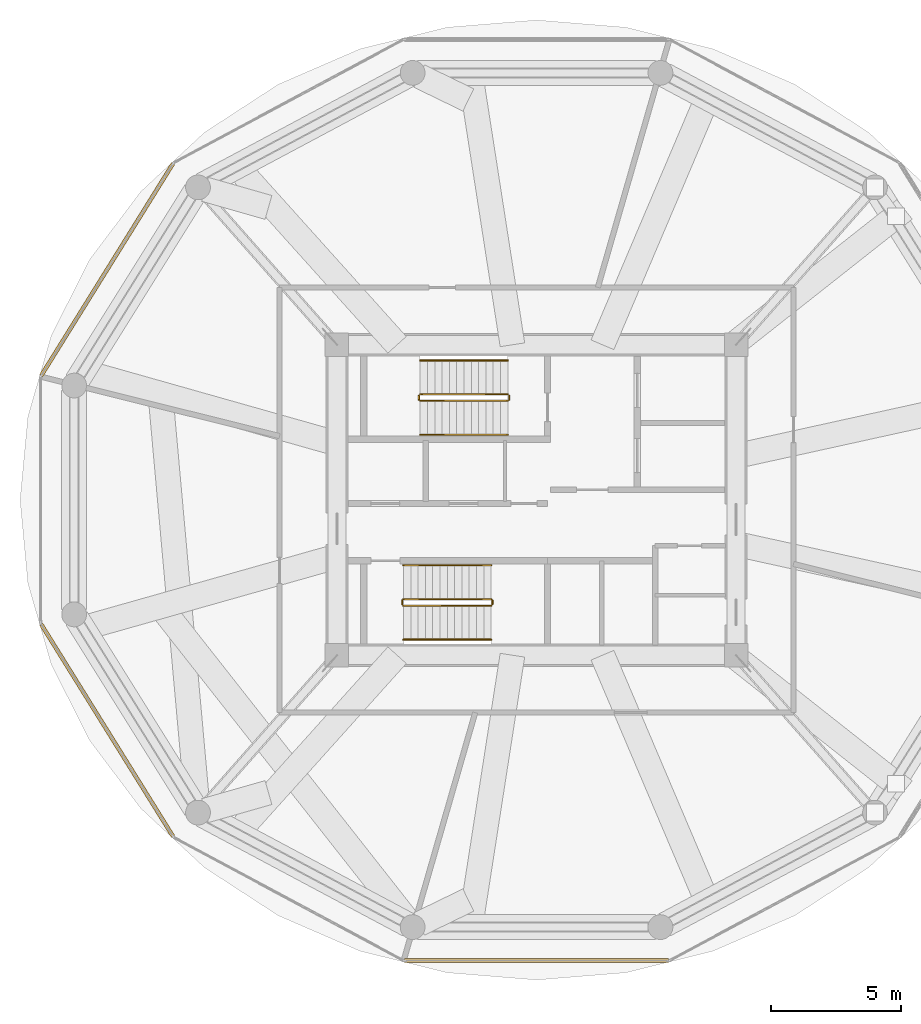
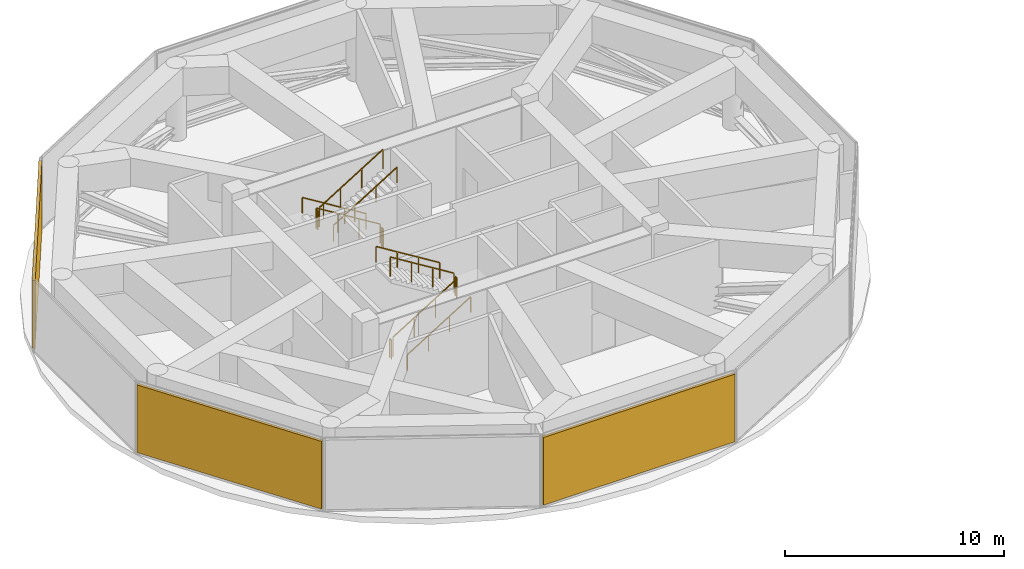
# One storey, part 20 of 22: 12 railings, 3 shading devices.
"""IFC4 building model written with IfcOpenShell, lengths in metres."""

from ifc_helpers import new_model, si_unit, direction, frame, origin, origin_2d, place, context, subcontext, project, spatial, rectangle, extrude, source, transform, mapped, material, type_object, type_shapes, element, save


model = new_model("IFC4")

# Units and contexts
model_context = context("Model", 3, precision=1e-05, world=origin(), true_north=direction((0.0, 1.0)))
body_context = subcontext(model_context, "Body", "Model", "MODEL_VIEW")
ifc_project = project(units=[si_unit("LENGTHUNIT", "METRE"), si_unit("AREAUNIT", "SQUARE_METRE"), si_unit("VOLUMEUNIT", "CUBIC_METRE"), si_unit("PLANEANGLEUNIT", "RADIAN"), si_unit("MASSUNIT", "GRAM", prefix="KILO")], contexts=[model_context])

# Site, building, storey
site_placement = place(None, origin())
site = spatial("IfcSite", under=ifc_project, at=site_placement, CompositionType="ELEMENT")
building_placement = place(site_placement, origin())
building = spatial("IfcBuilding", under=site, at=building_placement, Name="Norrkilde Senior Care Towers", CompositionType="ELEMENT")
storey_placement = place(building_placement, frame((0.0, 0.0, 73.449951171875)))
storey = spatial("IfcBuildingStorey", under=building, at=storey_placement, Name="L22", CompositionType="ELEMENT", Elevation=73.449951171875)

# Railings
ifc_material_1 = material(Name="Stainless Steel", Category="steel")
railing_type_1 = type_object("IfcRailingType", Name="Stair and Terrace Guardrail 1100", PredefinedType="GUARDRAIL", material=ifc_material_1)
railing_1_placement = place(storey_placement, frame((-29.10009765625, 4.050048828125, 0.173095703125)))
element("IfcRailing", 1, at=railing_1_placement, inside=storey, type_object=railing_type_1, Name="L22 ST-W1 stair guard 1", PredefinedType="GUARDRAIL", context=body_context, shape_type="SweptSolid", body=[
    extrude(rectangle(XDim=0.048095703125, YDim=0.048095703125, at=origin_2d()), frame((0.0, 0.0, 1.076171875), z_axis=(-0.850606129759, 0.0, 0.525803396734), x_axis=(0.0, -1.0, 0.0)), (0.0, 0.0, 1.0), 3.949951171875),
    extrude(rectangle(XDim=0.0419921875, YDim=0.0419921875, at=origin_2d()), origin(), (0.0, 0.0, 1.0), 1.050048828125),
    extrude(rectangle(XDim=0.0419921875, YDim=0.0419921875, at=origin_2d()), frame((-1.119873046875, 0.0, 0.6923828125)), (0.0, 0.0, 1.0), 1.050048828125),
    extrude(rectangle(XDim=0.0419921875, YDim=0.0419921875, at=origin_2d()), frame((-2.239990234375, 0.0, 1.384521484375)), (0.0, 0.0, 1.0), 1.050048828125),
    extrude(rectangle(XDim=0.0419921875, YDim=0.0419921875, at=origin_2d()), frame((-3.35986328125, 0.0, 2.076904296875)), (0.0, 0.0, 1.0), 1.050048828125),
])
railing_2_placement = place(storey_placement, frame((-32.510009765625, 4.0, 2.25)))
element("IfcRailing", 2, at=railing_2_placement, inside=storey, type_object=railing_type_1, Name="L22 ST-W1 stair guard 2", PredefinedType="GUARDRAIL", context=body_context, shape_type="SweptSolid", body=[
    extrude(rectangle(XDim=0.048095703125, YDim=0.048095703125, at=origin_2d()), frame((0.0, 0.0, 1.076171875), z_axis=(0.0, -1.0, 0.0), x_axis=(1.0, 0.0, 0.0)), (0.0, 0.0, 1.0), 0.14990234375),
    extrude(rectangle(XDim=0.0419921875, YDim=0.0419921875, at=origin_2d()), origin(), (0.0, 0.0, 1.0), 1.050048828125),
    extrude(rectangle(XDim=0.0419921875, YDim=0.0419921875, at=origin_2d()), frame((0.0, -0.14990234375, 0.0)), (0.0, 0.0, 1.0), 1.050048828125),
])
railing_3_placement = place(storey_placement, frame((-32.4599609375, 3.800048828125, 2.423095703125)))
element("IfcRailing", 3, at=railing_3_placement, inside=storey, type_object=railing_type_1, Name="L22 ST-W1 stair guard 3", PredefinedType="GUARDRAIL", context=body_context, shape_type="SweptSolid", body=[
    extrude(rectangle(XDim=0.048095703125, YDim=0.048095703125, at=origin_2d()), frame((0.0, 0.0, 1.076171875), z_axis=(0.850606129759, 0.0, 0.525803396734), x_axis=(0.0, 1.0, 0.0)), (0.0, 0.0, 1.0), 3.949951171875),
    extrude(rectangle(XDim=0.0419921875, YDim=0.0419921875, at=origin_2d()), origin(), (0.0, 0.0, 1.0), 1.050048828125),
    extrude(rectangle(XDim=0.0419921875, YDim=0.0419921875, at=origin_2d()), frame((1.119873046875, 0.0, 0.6923828125)), (0.0, 0.0, 1.0), 1.050048828125),
    extrude(rectangle(XDim=0.0419921875, YDim=0.0419921875, at=origin_2d()), frame((2.239990234375, 0.0, 1.384521484375)), (0.0, 0.0, 1.0), 1.050048828125),
    extrude(rectangle(XDim=0.0419921875, YDim=0.0419921875, at=origin_2d()), frame((3.35986328125, 0.0, 2.076904296875)), (0.0, 0.0, 1.0), 1.050048828125),
])
railing_4_placement = place(storey_placement, frame((-29.050048828125, 4.0, 0.0)))
element("IfcRailing", 4, at=railing_4_placement, inside=storey, type_object=railing_type_1, Name="L22 ST-W1 stair guard 4", PredefinedType="GUARDRAIL", context=body_context, shape_type="SweptSolid", body=[
    extrude(rectangle(XDim=0.048095703125, YDim=0.048095703125, at=origin_2d()), frame((0.0, 0.0, 1.076171875), z_axis=(0.0, -1.0, 0.0), x_axis=(1.0, 0.0, 0.0)), (0.0, 0.0, 1.0), 0.14990234375),
    extrude(rectangle(XDim=0.0419921875, YDim=0.0419921875, at=origin_2d()), origin(), (0.0, 0.0, 1.0), 1.050048828125),
    extrude(rectangle(XDim=0.0419921875, YDim=0.0419921875, at=origin_2d()), frame((0.0, -0.14990234375, 0.0)), (0.0, 0.0, 1.0), 1.050048828125),
])
railing_5_placement = place(storey_placement, frame((-33.10009765625, -4.050048828125, 0.173095703125)))
element("IfcRailing", 5, at=railing_5_placement, inside=storey, type_object=railing_type_1, Name="L22 ST-W2 stair guard 1", PredefinedType="GUARDRAIL", context=body_context, shape_type="SweptSolid", body=[
    extrude(rectangle(XDim=0.048095703125, YDim=0.048095703125, at=origin_2d()), frame((0.0, 0.0, 1.076171875), z_axis=(0.850623216509, 0.0, 0.525775754039), x_axis=(0.0, 1.0, 0.0)), (0.0, 0.0, 1.0), 3.9501953125),
    extrude(rectangle(XDim=0.0419921875, YDim=0.0419921875, at=origin_2d()), origin(), (0.0, 0.0, 1.0), 1.050048828125),
    extrude(rectangle(XDim=0.0419921875, YDim=0.0419921875, at=origin_2d()), frame((1.1201171875, 0.0, 0.6923828125)), (0.0, 0.0, 1.0), 1.050048828125),
    extrude(rectangle(XDim=0.0419921875, YDim=0.0419921875, at=origin_2d()), frame((2.239990234375, 0.0, 1.384521484375)), (0.0, 0.0, 1.0), 1.050048828125),
    extrude(rectangle(XDim=0.0419921875, YDim=0.0419921875, at=origin_2d()), frame((3.360107421875, 0.0, 2.076904296875)), (0.0, 0.0, 1.0), 1.050048828125),
])
railing_6_placement = place(storey_placement, frame((-29.68994140625, -4.0, 2.25)))
element("IfcRailing", 6, at=railing_6_placement, inside=storey, type_object=railing_type_1, Name="L22 ST-W2 stair guard 2", PredefinedType="GUARDRAIL", context=body_context, shape_type="SweptSolid", body=[
    extrude(rectangle(XDim=0.048095703125, YDim=0.048095703125, at=origin_2d()), frame((0.0, 0.0, 1.076171875), z_axis=(0.0, 1.0, 0.0), x_axis=(-1.0, 0.0, 0.0)), (0.0, 0.0, 1.0), 0.14990234375),
    extrude(rectangle(XDim=0.0419921875, YDim=0.0419921875, at=origin_2d()), origin(), (0.0, 0.0, 1.0), 1.050048828125),
    extrude(rectangle(XDim=0.0419921875, YDim=0.0419921875, at=origin_2d()), frame((0.0, 0.14990234375, 0.0)), (0.0, 0.0, 1.0), 1.050048828125),
])
railing_7_placement = place(storey_placement, frame((-29.739990234375, -3.800048828125, 2.423095703125)))
element("IfcRailing", 7, at=railing_7_placement, inside=storey, type_object=railing_type_1, Name="L22 ST-W2 stair guard 3", PredefinedType="GUARDRAIL", context=body_context, shape_type="SweptSolid", body=[
    extrude(rectangle(XDim=0.048095703125, YDim=0.048095703125, at=origin_2d()), frame((0.0, 0.0, 1.076171875), z_axis=(-0.850623216509, 0.0, 0.525775754039), x_axis=(0.0, -1.0, 0.0)), (0.0, 0.0, 1.0), 3.9501953125),
    extrude(rectangle(XDim=0.0419921875, YDim=0.0419921875, at=origin_2d()), origin(), (0.0, 0.0, 1.0), 1.050048828125),
    extrude(rectangle(XDim=0.0419921875, YDim=0.0419921875, at=origin_2d()), frame((-1.1201171875, 0.0, 0.6923828125)), (0.0, 0.0, 1.0), 1.050048828125),
    extrude(rectangle(XDim=0.0419921875, YDim=0.0419921875, at=origin_2d()), frame((-2.239990234375, 0.0, 1.384521484375)), (0.0, 0.0, 1.0), 1.050048828125),
    extrude(rectangle(XDim=0.0419921875, YDim=0.0419921875, at=origin_2d()), frame((-3.360107421875, 0.0, 2.076904296875)), (0.0, 0.0, 1.0), 1.050048828125),
])
railing_8_placement = place(storey_placement, frame((-33.14990234375, -4.0, 0.0)))
element("IfcRailing", 8, at=railing_8_placement, inside=storey, type_object=railing_type_1, Name="L22 ST-W2 stair guard 4", PredefinedType="GUARDRAIL", context=body_context, shape_type="SweptSolid", body=[
    extrude(rectangle(XDim=0.048095703125, YDim=0.048095703125, at=origin_2d()), frame((0.0, 0.0, 1.076171875), z_axis=(0.0, 1.0, 0.0), x_axis=(-1.0, 0.0, 0.0)), (0.0, 0.0, 1.0), 0.14990234375),
    extrude(rectangle(XDim=0.0419921875, YDim=0.0419921875, at=origin_2d()), origin(), (0.0, 0.0, 1.0), 1.050048828125),
    extrude(rectangle(XDim=0.0419921875, YDim=0.0419921875, at=origin_2d()), frame((0.0, 0.14990234375, 0.0)), (0.0, 0.0, 1.0), 1.050048828125),
])
ifc_material_2 = material(Name="Nordic Ash Timber", Category="wood")
railing_type_2 = type_object("IfcRailingType", Name="Wall and Stair Handrail 900", PredefinedType="HANDRAIL", material=ifc_material_2)
railing_9_placement = place(storey_placement, frame((-29.10009765625, 5.35009765625, 0.173095703125)))
element("IfcRailing", 9, at=railing_9_placement, inside=storey, type_object=railing_type_2, Name="L22 ST-W1 stair handrail 1", PredefinedType="HANDRAIL", context=body_context, shape_type="SweptSolid", body=[
    extrude(rectangle(XDim=0.048095703125, YDim=0.048095703125, at=origin_2d()), frame((0.0, 0.0, 0.8759765625), z_axis=(-0.850606129759, 0.0, 0.525803396734), x_axis=(0.0, -1.0, 0.0)), (0.0, 0.0, 1.0), 3.949951171875),
    extrude(rectangle(XDim=0.0419921875, YDim=0.0419921875, at=origin_2d()), origin(), (0.0, 0.0, 1.0), 0.849853515625),
    extrude(rectangle(XDim=0.0419921875, YDim=0.0419921875, at=origin_2d()), frame((-1.119873046875, 0.0, 0.6923828125)), (0.0, 0.0, 1.0), 0.849853515625),
    extrude(rectangle(XDim=0.0419921875, YDim=0.0419921875, at=origin_2d()), frame((-2.239990234375, 0.0, 1.384521484375)), (0.0, 0.0, 1.0), 0.849853515625),
    extrude(rectangle(XDim=0.0419921875, YDim=0.0419921875, at=origin_2d()), frame((-3.35986328125, 0.0, 2.076904296875)), (0.0, 0.0, 1.0), 0.849853515625),
])
railing_10_placement = place(storey_placement, frame((-32.4599609375, 2.5, 2.423095703125)))
element("IfcRailing", 10, at=railing_10_placement, inside=storey, type_object=railing_type_2, Name="L22 ST-W1 stair handrail 2", PredefinedType="HANDRAIL", context=body_context, shape_type="SweptSolid", body=[
    extrude(rectangle(XDim=0.048095703125, YDim=0.048095703125, at=origin_2d()), frame((0.0, 0.0, 0.8759765625), z_axis=(0.850606129759, 0.0, 0.525803396734), x_axis=(0.0, 1.0, 0.0)), (0.0, 0.0, 1.0), 3.949951171875),
    extrude(rectangle(XDim=0.0419921875, YDim=0.0419921875, at=origin_2d()), origin(), (0.0, 0.0, 1.0), 0.849853515625),
    extrude(rectangle(XDim=0.0419921875, YDim=0.0419921875, at=origin_2d()), frame((1.119873046875, 0.0, 0.6923828125)), (0.0, 0.0, 1.0), 0.849853515625),
    extrude(rectangle(XDim=0.0419921875, YDim=0.0419921875, at=origin_2d()), frame((2.239990234375, 0.0, 1.384521484375)), (0.0, 0.0, 1.0), 0.849853515625),
    extrude(rectangle(XDim=0.0419921875, YDim=0.0419921875, at=origin_2d()), frame((3.35986328125, 0.0, 2.076904296875)), (0.0, 0.0, 1.0), 0.849853515625),
])
railing_11_placement = place(storey_placement, frame((-33.10009765625, -5.35009765625, 0.173095703125)))
element("IfcRailing", 11, at=railing_11_placement, inside=storey, type_object=railing_type_2, Name="L22 ST-W2 stair handrail 1", PredefinedType="HANDRAIL", context=body_context, shape_type="SweptSolid", body=[
    extrude(rectangle(XDim=0.048095703125, YDim=0.048095703125, at=origin_2d()), frame((0.0, 0.0, 0.8759765625), z_axis=(0.850623216509, 0.0, 0.525775754039), x_axis=(0.0, 1.0, 0.0)), (0.0, 0.0, 1.0), 3.9501953125),
    extrude(rectangle(XDim=0.0419921875, YDim=0.0419921875, at=origin_2d()), origin(), (0.0, 0.0, 1.0), 0.849853515625),
    extrude(rectangle(XDim=0.0419921875, YDim=0.0419921875, at=origin_2d()), frame((1.1201171875, 0.0, 0.6923828125)), (0.0, 0.0, 1.0), 0.849853515625),
    extrude(rectangle(XDim=0.0419921875, YDim=0.0419921875, at=origin_2d()), frame((2.239990234375, 0.0, 1.384521484375)), (0.0, 0.0, 1.0), 0.849853515625),
    extrude(rectangle(XDim=0.0419921875, YDim=0.0419921875, at=origin_2d()), frame((3.360107421875, 0.0, 2.076904296875)), (0.0, 0.0, 1.0), 0.849853515625),
])
railing_12_placement = place(storey_placement, frame((-29.739990234375, -2.5, 2.423095703125)))
element("IfcRailing", 12, at=railing_12_placement, inside=storey, type_object=railing_type_2, Name="L22 ST-W2 stair handrail 2", PredefinedType="HANDRAIL", context=body_context, shape_type="SweptSolid", body=[
    extrude(rectangle(XDim=0.048095703125, YDim=0.048095703125, at=origin_2d()), frame((0.0, 0.0, 0.8759765625), z_axis=(-0.850623216509, 0.0, 0.525775754039), x_axis=(0.0, -1.0, 0.0)), (0.0, 0.0, 1.0), 3.9501953125),
    extrude(rectangle(XDim=0.0419921875, YDim=0.0419921875, at=origin_2d()), origin(), (0.0, 0.0, 1.0), 0.849853515625),
    extrude(rectangle(XDim=0.0419921875, YDim=0.0419921875, at=origin_2d()), frame((-1.1201171875, 0.0, 0.6923828125)), (0.0, 0.0, 1.0), 0.849853515625),
    extrude(rectangle(XDim=0.0419921875, YDim=0.0419921875, at=origin_2d()), frame((-2.239990234375, 0.0, 1.384521484375)), (0.0, 0.0, 1.0), 0.849853515625),
    extrude(rectangle(XDim=0.0419921875, YDim=0.0419921875, at=origin_2d()), frame((-3.360107421875, 0.0, 2.076904296875)), (0.0, 0.0, 1.0), 0.849853515625),
])

# Shading devices
ifc_material_3 = material(Name="Anodised Aluminium", Category="aluminium")
shading_device_type = type_object("IfcShadingDeviceType", Name="Plant and Crown Acoustic Louvre Screen", PredefinedType="JALOUSIE", material=ifc_material_3)
shared_shape_1 = source(origin(), body_context, "Body", "SweptSolid", [
    extrude(rectangle(XDim=9.568603515625, YDim=0.14990234375, at=origin_2d()), origin(), (0.0, 0.0, 1.0), 3.780029296875),
])
for number, where, z_axis, x_axis, name in (
    (13, (-44.462646484375, 8.82861328125, 0.14990234375), (0.0, 0.0, 1.0), (0.527900951871, 0.849305943117, 0.0), "L22 Plant Acoustic Louvre Screen W-04"),
    (14, (-44.462646484375, -8.82861328125, 0.14990234375), (0.0, 0.0, 1.0), (-0.527900951871, 0.849305943117, 0.0), "L22 Plant Acoustic Louvre Screen W-06"),
):
    element("IfcShadingDevice", number, at=place(storey_placement, frame(where, z_axis=z_axis, x_axis=x_axis)), inside=storey, type_object=shading_device_type, Name=name, PredefinedType="JALOUSIE", context=body_context, shape_type="MappedRepresentation", body=[
        mapped(shared_shape_1, transform((0.0, 0.0, 0.0), x_axis=(1.0, 0.0, 0.0), y_axis=(0.0, 1.0, 0.0), z_axis=(0.0, 0.0, 1.0), scale=1.0)),
    ])
shared_shape_2 = source(origin(), body_context, "Body", "SweptSolid", [
    extrude(rectangle(XDim=10.107177734375, YDim=0.14990234375, at=origin_2d()), origin(), (0.0, 0.0, 1.0), 3.780029296875),
])
type_shapes(shading_device_type, [shared_shape_1, shared_shape_2])
shading_device_placement = place(storey_placement, frame((-28.0, -17.6572265625, 0.14990234375), z_axis=(0.0, 0.0, 1.0), x_axis=(-1.0, 0.0, 0.0)))
element("IfcShadingDevice", 15, at=shading_device_placement, inside=storey, type_object=shading_device_type, Name="L22 Plant Acoustic Louvre Screen W-08", PredefinedType="JALOUSIE", context=body_context, shape_type="MappedRepresentation", body=[
    mapped(shared_shape_2, transform((0.0, 0.0, 0.0), x_axis=(1.0, 0.0, 0.0), y_axis=(0.0, 1.0, 0.0), z_axis=(0.0, 0.0, 1.0), scale=1.0)),
])

save(model, "model.ifc")
